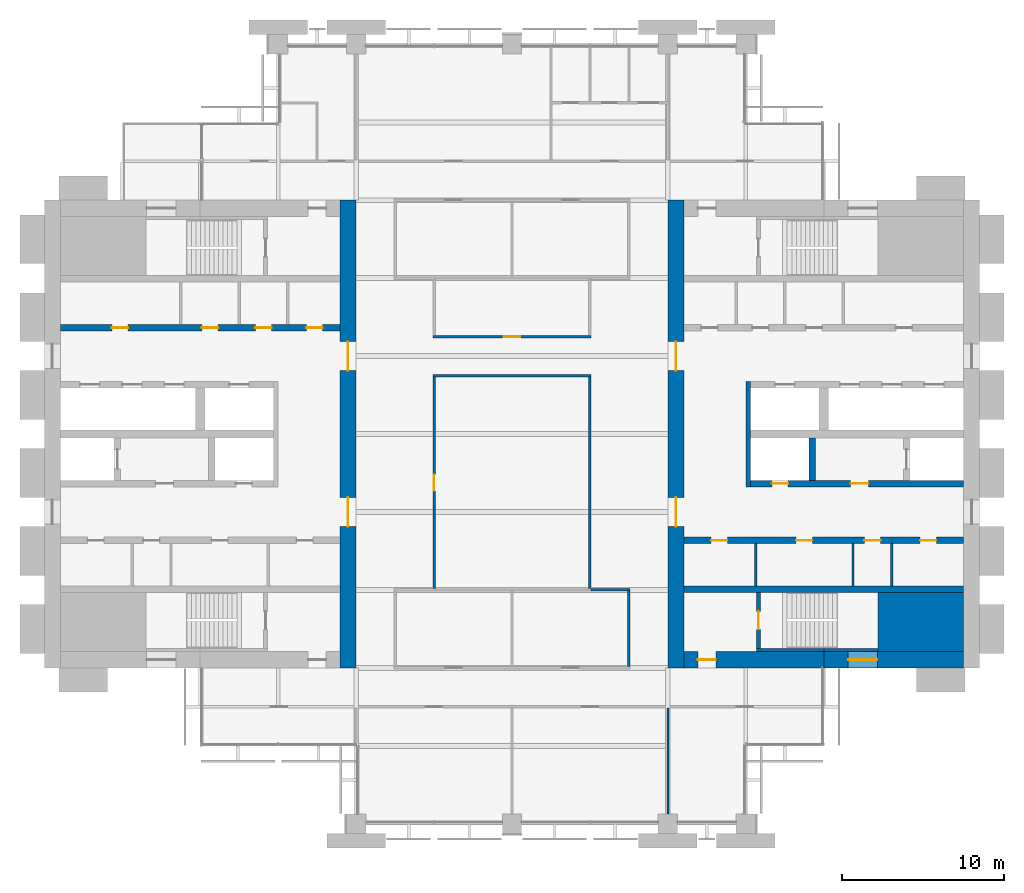
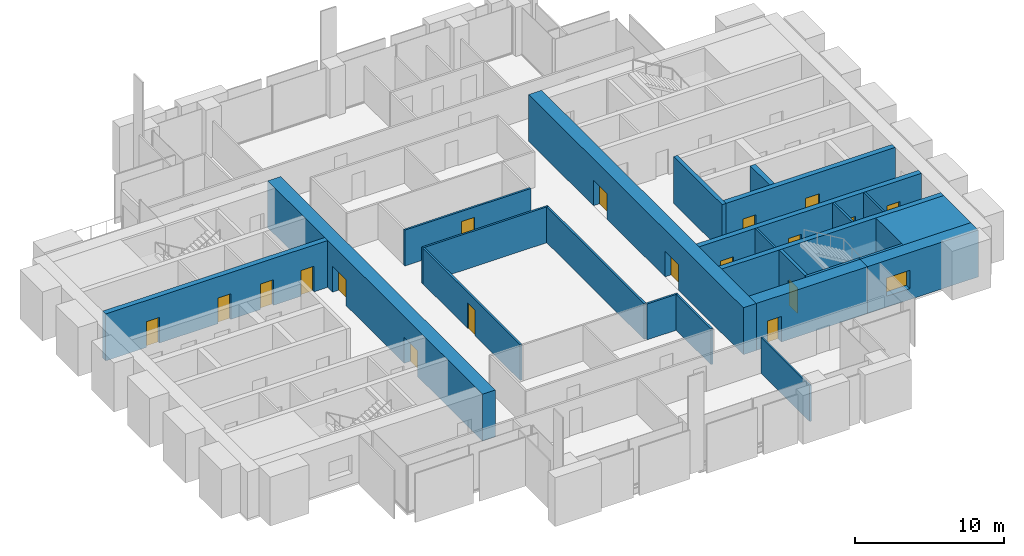
# One storey, part 10 of 14: 24 walls, 18 doors, 1 window, 19 openings.
"""IFC4 building model written with IfcOpenShell, lengths in metres."""

from ifc_helpers import new_model, si_unit, direction, frame, frame_2d, origin, place, context, subcontext, project, spatial, rectangle, extrude, material, layer, layer_set, type_object, element, fill, save


model = new_model("IFC4")

# Units and contexts
model_context = context("Model", 3, precision=1e-05, world=origin(), true_north=direction((0.0, 1.0)))
body_context = subcontext(model_context, "Body", "Model", "MODEL_VIEW")
ifc_project = project(units=[si_unit("LENGTHUNIT", "METRE"), si_unit("AREAUNIT", "SQUARE_METRE"), si_unit("VOLUMEUNIT", "CUBIC_METRE"), si_unit("PLANEANGLEUNIT", "RADIAN"), si_unit("MASSUNIT", "GRAM", prefix="KILO")], contexts=[model_context])

# Site, building, storey
site_placement = place(None, origin())
site = spatial("IfcSite", under=ifc_project, at=site_placement, CompositionType="ELEMENT")
building_placement = place(site_placement, origin())
building = spatial("IfcBuilding", under=site, at=building_placement, Name="Baori Bourse Tower", CompositionType="ELEMENT")
storey_placement = place(building_placement, frame((0.0, 0.0, 168.10009765625)))
storey = spatial("IfcBuildingStorey", under=building, at=storey_placement, Name="L37", CompositionType="ELEMENT", Elevation=168.10009765625)

# Walls
ifc_material_1 = material(Name="Concrete f'c 60 MPa", Category="concrete")
wall_type_1 = type_object("IfcWallType", Name="Core corner block f'c 60", PredefinedType="SHEAR", material=ifc_material_1)
wall_1_placement = place(storey_placement, frame((51.35009765625, 12.425048828125, 0.0), z_axis=(0.0, 0.0, 1.0), x_axis=(1.0, 0.0, 0.0)))
element("IfcWall", 1, at=wall_1_placement, inside=storey, type_object=wall_type_1, Name="Core wall E05", PredefinedType="SHEAR", context=body_context, shape_type="SweptSolid", body=[
    extrude(rectangle(XDim=5.25, YDim=3.64990234375, at=frame_2d((2.625, 0.0))), origin(), (0.0, 0.0, 1.0), 3.83984375),
])
ifc_material_2 = material(Name="Blockwork partition", Category="masonry")
ifc_layer_1 = layer(ifc_material_2, 0.14990234375)
ifc_layer_set_1 = layer_set([ifc_layer_1], Name="Core partition 150")
wall_type_2 = type_object("IfcWallType", Name="Core partition 150", PredefinedType="PARTITIONING", material=ifc_layer_set_1)
for number, where, z_axis, x_axis, name in (
    (2, (52.199951171875, 14.64990234375, 0.0), (0.0, 0.0, 1.0), (0.0, 1.0, 0.0), "Partition wall E10"),
    (3, (49.800048828125, 14.64990234375, 0.0), (0.0, 0.0, 1.0), (0.0, 1.0, 0.0), "Partition wall E11"),
    (4, (43.800048828125, 14.64990234375, 0.0), (0.0, 0.0, 1.0), (0.0, 1.0, 0.0), "Partition wall E12"),
):
    element("IfcWall", number, at=place(storey_placement, frame(where, z_axis=z_axis, x_axis=x_axis)), inside=storey, type_object=wall_type_2, Name=name, PredefinedType="PARTITIONING", context=body_context, shape_type="SweptSolid", body=[
        extrude(rectangle(XDim=2.60009765625, YDim=0.14990234375, at=frame_2d((1.300048828125, 0.0))), origin(), (0.0, 0.0, 1.0), 3.83984375),
    ])

# Wall, openings, doors
ifc_material_3 = material(Name="Concrete f'c 60 MPa", Category="concrete")
ifc_layer_2 = layer(ifc_material_3, 1.0)
ifc_layer_set_2 = layer_set([ifc_layer_2], Name="Core wall 1000 f'c 60")
wall_type_3 = type_object("IfcWallType", Name="Core wall 1000 f'c 60", PredefinedType="SHEAR", material=ifc_layer_set_2)
wall_2_placement = place(storey_placement, frame((18.699951171875, 38.39990234375, 0.0), z_axis=(0.0, 0.0, 1.0), x_axis=(0.0, -1.0, 0.0)))
wall_2 = element("IfcWall", 5, at=wall_2_placement, inside=storey, type_object=wall_type_3, Name="Core wall W04", PredefinedType="SHEAR", context=body_context, shape_type="SweptSolid", body=[
    extrude(rectangle(XDim=28.7998046875, YDim=1.0, at=frame_2d((14.39990234375, 0.0))), origin(), (0.0, 0.0, 1.0), 3.83984375),
])
opening_1_placement = place(wall_2_placement, frame((18.300048828125, 0.0, 0.0)))
opening_1 = element("IfcOpeningElement", 6, at=opening_1_placement, cuts=wall_2, Name="Opening L37-D107", PredefinedType="OPENING", context=body_context, shape_type="SweptSolid", body=[
    extrude(rectangle(XDim=1.800048828125, YDim=2.10009765625, at=frame_2d((0.89990234375, 1.050048828125))), frame((0.0, 0.510009765625, 0.0), z_axis=(0.0, -1.0, 0.0), x_axis=(1.0, 0.0, 0.0)), (0.0, 0.0, 1.0), 1.02001953125),
])
opening_2_placement = place(wall_2_placement, frame((8.699951171875, 0.0, 0.0)))
opening_2 = element("IfcOpeningElement", 7, at=opening_2_placement, cuts=wall_2, Name="Opening L37-D108", PredefinedType="OPENING", context=body_context, shape_type="SweptSolid", body=[
    extrude(rectangle(XDim=1.800048828125, YDim=2.10009765625, at=frame_2d((0.89990234375, 1.050048828125))), frame((0.0, 0.510009765625, 0.0), z_axis=(0.0, -1.0, 0.0), x_axis=(1.0, 0.0, 0.0)), (0.0, 0.0, 1.0), 1.02001953125),
])
ifc_material_4 = material(Name="Painted steel door", Category="steel")
door_type_1 = type_object("IfcDoorType", Name="Core lobby door 1800", OperationType="DOUBLE_DOOR_SINGLE_SWING", PredefinedType="DOOR", material=ifc_material_4)
door_1_placement = place(opening_1_placement, origin())
door_1 = element("IfcDoor", 8, at=door_1_placement, inside=storey, type_object=door_type_1, Name="Lobby door W L37", OperationType="DOUBLE_DOOR_SINGLE_SWING", OverallHeight=2.10009765625, OverallWidth=1.800048828125, PredefinedType="DOOR", context=body_context, shape_type="SweptSolid", body=[
    extrude(rectangle(XDim=1.800048828125, YDim=2.10009765625, at=frame_2d((0.89990234375, 1.050048828125))), frame((0.0, 0.02490234375, 0.0), z_axis=(0.0, -1.0, 0.0), x_axis=(1.0, 0.0, 0.0)), (0.0, 0.0, 1.0), 0.050048828125),
])
fill(opening_1, door_1)
door_2_placement = place(opening_2_placement, origin())
door_2 = element("IfcDoor", 9, at=door_2_placement, inside=storey, type_object=door_type_1, Name="Lobby door W L37", OperationType="DOUBLE_DOOR_SINGLE_SWING", OverallHeight=2.10009765625, OverallWidth=1.800048828125, PredefinedType="DOOR", context=body_context, shape_type="SweptSolid", body=[
    extrude(rectangle(XDim=1.800048828125, YDim=2.10009765625, at=frame_2d((0.89990234375, 1.050048828125))), frame((0.0, 0.02490234375, 0.0), z_axis=(0.0, -1.0, 0.0), x_axis=(1.0, 0.0, 0.0)), (0.0, 0.0, 1.0), 0.050048828125),
])
fill(opening_2, door_2)

# Wall, opening, window
wall_3_placement = place(storey_placement, frame((56.60009765625, 10.10009765625, 0.0), z_axis=(0.0, 0.0, 1.0), x_axis=(-1.0, 0.0, 0.0)))
wall_3 = element("IfcWall", 10, at=wall_3_placement, inside=storey, type_object=wall_type_3, Name="Core wall E02", PredefinedType="SHEAR", context=body_context, shape_type="SweptSolid", body=[
    extrude(rectangle(XDim=8.60009765625, YDim=1.0, at=frame_2d((4.300048828125, 0.0))), origin(), (0.0, 0.0, 1.0), 3.83984375),
])
opening_3_placement = place(wall_3_placement, frame((5.300048828125, 0.0, 0.89990234375)))
opening_3 = element("IfcOpeningElement", 11, at=opening_3_placement, cuts=wall_3, Name="Opening L37-KW203", PredefinedType="OPENING", context=body_context, shape_type="SweptSolid", body=[
    extrude(rectangle(XDim=1.800048828125, YDim=1.5, at=frame_2d((0.89990234375, 0.75))), frame((0.0, 0.510009765625, 0.0), z_axis=(0.0, -1.0, 0.0), x_axis=(1.0, 0.0, 0.0)), (0.0, 0.0, 1.0), 1.02001953125),
])
ifc_material_5 = material(Name="Pale anodised aluminium", Category="aluminium")
window_type = type_object("IfcWindowType", Name="Stair window 1800 x 1500", PartitioningType="SINGLE_PANEL", PredefinedType="WINDOW", material=ifc_material_5)
window_placement = place(opening_3_placement, origin())
window = element("IfcWindow", 12, at=window_placement, inside=storey, type_object=window_type, Name="Stair window E L37 3", OverallHeight=1.5, OverallWidth=1.800048828125, PartitioningType="SINGLE_PANEL", PredefinedType="WINDOW", context=body_context, shape_type="SweptSolid", body=[
    extrude(rectangle(XDim=1.800048828125, YDim=1.5, at=frame_2d((0.89990234375, 0.75))), frame((0.0, 0.030029296875, 0.0), z_axis=(0.0, -1.0, 0.0), x_axis=(1.0, 0.0, 0.0)), (0.0, 0.0, 1.0), 0.06005859375),
])
fill(opening_3, window)

# Wall, opening, door
wall_4_placement = place(storey_placement, frame((48.0, 10.10009765625, 0.0), z_axis=(0.0, 0.0, 1.0), x_axis=(-1.0, 0.0, 0.0)))
wall_4 = element("IfcWall", 13, at=wall_4_placement, inside=storey, type_object=wall_type_3, Name="Core wall E03", PredefinedType="SHEAR", context=body_context, shape_type="SweptSolid", body=[
    extrude(rectangle(XDim=8.60009765625, YDim=1.0, at=frame_2d((4.300048828125, 0.0))), origin(), (0.0, 0.0, 1.0), 3.83984375),
])
opening_4_placement = place(wall_4_placement, frame((6.64990234375, 0.0, 0.0)))
opening_4 = element("IfcOpeningElement", 14, at=opening_4_placement, cuts=wall_4, Name="Opening L37-D202", PredefinedType="OPENING", context=body_context, shape_type="SweptSolid", body=[
    extrude(rectangle(XDim=1.10009765625, YDim=2.10009765625, at=frame_2d((0.550048828125, 1.050048828125))), frame((0.0, 0.510009765625, 0.0), z_axis=(0.0, -1.0, 0.0), x_axis=(1.0, 0.0, 0.0)), (0.0, 0.0, 1.0), 1.02001953125),
])
ifc_material_6 = material(Name="Painted steel door", Category="steel")
door_type_2 = type_object("IfcDoorType", Name="Stair door 1100", OperationType="SINGLE_SWING_LEFT", PredefinedType="DOOR", material=ifc_material_6)
door_3_placement = place(opening_4_placement, origin())
door_3 = element("IfcDoor", 15, at=door_3_placement, inside=storey, type_object=door_type_2, Name="Stair vestibule door A E L37", OperationType="SINGLE_SWING_LEFT", OverallHeight=2.10009765625, OverallWidth=1.10009765625, PredefinedType="DOOR", context=body_context, shape_type="SweptSolid", body=[
    extrude(rectangle(XDim=1.10009765625, YDim=2.10009765625, at=frame_2d((0.550048828125, 1.050048828125))), frame((0.0, 0.02490234375, 0.0), z_axis=(0.0, -1.0, 0.0), x_axis=(1.0, 0.0, 0.0)), (0.0, 0.0, 1.0), 0.050048828125),
])
fill(opening_4, door_3)

# Wall, openings, doors
wall_5_placement = place(storey_placement, frame((38.89990234375, 9.60009765625, 0.0), z_axis=(0.0, 0.0, 1.0), x_axis=(0.0, 1.0, 0.0)))
wall_5 = element("IfcWall", 16, at=wall_5_placement, inside=storey, type_object=wall_type_3, Name="Core wall E04", PredefinedType="SHEAR", context=body_context, shape_type="SweptSolid", body=[
    extrude(rectangle(XDim=28.7998046875, YDim=1.0, at=frame_2d((14.39990234375, 0.0))), origin(), (0.0, 0.0, 1.0), 3.83984375),
])
opening_5_placement = place(wall_5_placement, frame((8.699951171875, 0.0, 0.0)))
opening_5 = element("IfcOpeningElement", 17, at=opening_5_placement, cuts=wall_5, Name="Opening L37-D207", PredefinedType="OPENING", context=body_context, shape_type="SweptSolid", body=[
    extrude(rectangle(XDim=1.800048828125, YDim=2.10009765625, at=frame_2d((0.89990234375, 1.050048828125))), frame((0.0, 0.510009765625, 0.0), z_axis=(0.0, -1.0, 0.0), x_axis=(1.0, 0.0, 0.0)), (0.0, 0.0, 1.0), 1.02001953125),
])
opening_6_placement = place(wall_5_placement, frame((18.300048828125, 0.0, 0.0)))
opening_6 = element("IfcOpeningElement", 18, at=opening_6_placement, cuts=wall_5, Name="Opening L37-D208", PredefinedType="OPENING", context=body_context, shape_type="SweptSolid", body=[
    extrude(rectangle(XDim=1.800048828125, YDim=2.10009765625, at=frame_2d((0.89990234375, 1.050048828125))), frame((0.0, 0.510009765625, 0.0), z_axis=(0.0, -1.0, 0.0), x_axis=(1.0, 0.0, 0.0)), (0.0, 0.0, 1.0), 1.02001953125),
])
door_4_placement = place(opening_5_placement, origin())
door_4 = element("IfcDoor", 19, at=door_4_placement, inside=storey, type_object=door_type_1, Name="Lobby door E L37", OperationType="DOUBLE_DOOR_SINGLE_SWING", OverallHeight=2.10009765625, OverallWidth=1.800048828125, PredefinedType="DOOR", context=body_context, shape_type="SweptSolid", body=[
    extrude(rectangle(XDim=1.800048828125, YDim=2.10009765625, at=frame_2d((0.89990234375, 1.050048828125))), frame((0.0, 0.02490234375, 0.0), z_axis=(0.0, -1.0, 0.0), x_axis=(1.0, 0.0, 0.0)), (0.0, 0.0, 1.0), 0.050048828125),
])
fill(opening_5, door_4)
door_5_placement = place(opening_6_placement, origin())
door_5 = element("IfcDoor", 20, at=door_5_placement, inside=storey, type_object=door_type_1, Name="Lobby door E L37", OperationType="DOUBLE_DOOR_SINGLE_SWING", OverallHeight=2.10009765625, OverallWidth=1.800048828125, PredefinedType="DOOR", context=body_context, shape_type="SweptSolid", body=[
    extrude(rectangle(XDim=1.800048828125, YDim=2.10009765625, at=frame_2d((0.89990234375, 1.050048828125))), frame((0.0, 0.02490234375, 0.0), z_axis=(0.0, -1.0, 0.0), x_axis=(1.0, 0.0, 0.0)), (0.0, 0.0, 1.0), 0.050048828125),
])
fill(opening_6, door_5)

# Walls
ifc_material_7 = material(Name="Gypsum board partition")
ifc_layer_3 = layer(ifc_material_7, 0.14990234375)
ifc_layer_set_3 = layer_set([ifc_layer_3], Name="Corridor partition 150")
wall_type_4 = type_object("IfcWallType", Name="Corridor partition 150", PredefinedType="PARTITIONING", material=ifc_layer_set_3)
wall_6_placement = place(storey_placement, frame((33.675048828125, 14.39990234375, 0.0), z_axis=(0.0, 0.0, 1.0), x_axis=(1.0, 0.0, 0.0)))
element("IfcWall", 21, at=wall_6_placement, inside=storey, type_object=wall_type_4, Name="Partition", PredefinedType="PARTITIONING", context=body_context, shape_type="SweptSolid", body=[
    extrude(rectangle(XDim=2.39990234375, YDim=0.14990234375, at=frame_2d((1.199951171875, 0.0))), origin(), (0.0, 0.0, 1.0), 2.935546875),
])
wall_7_placement = place(storey_placement, frame((23.925048828125, 27.60009765625, 0.0), z_axis=(0.0, 0.0, 1.0), x_axis=(1.0, 0.0, 0.0)))
element("IfcWall", 22, at=wall_7_placement, inside=storey, type_object=wall_type_4, Name="Partition", PredefinedType="PARTITIONING", context=body_context, shape_type="SweptSolid", body=[
    extrude(rectangle(XDim=9.75, YDim=0.14990234375, at=frame_2d((4.875, 0.0))), origin(), (0.0, 0.0, 1.0), 2.935546875),
])

# Wall, opening, door
wall_8_placement = place(storey_placement, frame((23.925048828125, 30.0, 0.0), z_axis=(0.0, 0.0, 1.0), x_axis=(1.0, 0.0, 0.0)))
wall_8 = element("IfcWall", 23, at=wall_8_placement, inside=storey, type_object=wall_type_4, Name="Partition", PredefinedType="PARTITIONING", context=body_context, shape_type="SweptSolid", body=[
    extrude(rectangle(XDim=9.75, YDim=0.14990234375, at=frame_2d((4.875, 0.0))), origin(), (0.0, 0.0, 1.0), 2.935546875),
])
opening_7_placement = place(wall_8_placement, frame((4.375, 0.0, 0.0)))
opening_7 = element("IfcOpeningElement", 24, at=opening_7_placement, cuts=wall_8, Name="Opening L37-D07", PredefinedType="OPENING", context=body_context, shape_type="SweptSolid", body=[
    extrude(rectangle(XDim=1.0, YDim=2.10009765625, at=frame_2d((0.5, 1.050048828125))), frame((0.0, 0.0849609375, 0.0), z_axis=(0.0, -1.0, 0.0), x_axis=(1.0, 0.0, 0.0)), (0.0, 0.0, 1.0), 0.169921875),
])
ifc_material_8 = material(Name="Timber door leaf", Category="wood")
door_type_3 = type_object("IfcDoorType", Name="Door 1000 x 2100", OperationType="SINGLE_SWING_LEFT", PredefinedType="DOOR", material=ifc_material_8)
door_6_placement = place(opening_7_placement, origin())
door_6 = element("IfcDoor", 25, at=door_6_placement, inside=storey, type_object=door_type_3, Name="Door", OperationType="SINGLE_SWING_LEFT", OverallHeight=2.10009765625, OverallWidth=1.0, PredefinedType="DOOR", context=body_context, shape_type="SweptSolid", body=[
    extrude(rectangle(XDim=1.0, YDim=2.10009765625, at=frame_2d((0.5, 1.050048828125))), frame((0.0, 0.02490234375, 0.0), z_axis=(0.0, -1.0, 0.0), x_axis=(1.0, 0.0, 0.0)), (0.0, 0.0, 1.0), 0.050048828125),
])
fill(opening_7, door_6)

wall_9_placement = place(storey_placement, frame((24.0, 14.47509765625, 0.0), z_axis=(0.0, 0.0, 1.0), x_axis=(0.0, 1.0, 0.0)))
wall_9 = element("IfcWall", 26, at=wall_9_placement, inside=storey, type_object=wall_type_4, Name="Partition", PredefinedType="PARTITIONING", context=body_context, shape_type="SweptSolid", body=[
    extrude(rectangle(XDim=13.0498046875, YDim=0.14990234375, at=frame_2d((6.52490234375, 0.0))), origin(), (0.0, 0.0, 1.0), 2.935546875),
])
opening_8_placement = place(wall_9_placement, frame((6.02490234375, 0.0, 0.0)))
opening_8 = element("IfcOpeningElement", 27, at=opening_8_placement, cuts=wall_9, Name="Opening L37-D18", PredefinedType="OPENING", context=body_context, shape_type="SweptSolid", body=[
    extrude(rectangle(XDim=1.0, YDim=2.10009765625, at=frame_2d((0.5, 1.050048828125))), frame((0.0, 0.0849609375, 0.0), z_axis=(0.0, -1.0, 0.0), x_axis=(1.0, 0.0, 0.0)), (0.0, 0.0, 1.0), 0.169921875),
])
door_7_placement = place(opening_8_placement, origin())
door_7 = element("IfcDoor", 28, at=door_7_placement, inside=storey, type_object=door_type_3, Name="Door", OperationType="SINGLE_SWING_RIGHT", OverallHeight=2.10009765625, OverallWidth=1.0, PredefinedType="DOOR", context=body_context, shape_type="SweptSolid", body=[
    extrude(rectangle(XDim=1.0, YDim=2.10009765625, at=frame_2d((0.5, 1.050048828125))), frame((0.0, 0.02490234375, 0.0), z_axis=(0.0, -1.0, 0.0), x_axis=(1.0, 0.0, 0.0)), (0.0, 0.0, 1.0), 0.050048828125),
])
fill(opening_8, door_7)

# Walls
wall_10_placement = place(storey_placement, frame((33.60009765625, 14.47509765625, 0.0), z_axis=(0.0, 0.0, 1.0), x_axis=(0.0, 1.0, 0.0)))
element("IfcWall", 29, at=wall_10_placement, inside=storey, type_object=wall_type_4, Name="Partition", PredefinedType="PARTITIONING", context=body_context, shape_type="SweptSolid", body=[
    extrude(rectangle(XDim=13.0498046875, YDim=0.14990234375, at=frame_2d((6.52490234375, 0.0))), origin(), (0.0, 0.0, 1.0), 2.935546875),
])
wall_11_placement = place(storey_placement, frame((36.0, 9.675048828125, 0.0), z_axis=(0.0, 0.0, 1.0), x_axis=(0.0, 1.0, 0.0)))
element("IfcWall", 30, at=wall_11_placement, inside=storey, type_object=wall_type_4, Name="Partition", PredefinedType="PARTITIONING", context=body_context, shape_type="SweptSolid", body=[
    extrude(rectangle(XDim=4.64990234375, YDim=0.14990234375, at=frame_2d((2.324951171875, 0.0))), origin(), (0.0, 0.0, 1.0), 2.935546875),
])
ifc_material_9 = material(Name="Gypsum board partition")
ifc_layer_4 = layer(ifc_material_9, 0.125)
ifc_layer_set_4 = layer_set([ifc_layer_4], Name="Partition 125")
wall_type_5 = type_object("IfcWallType", Name="Partition 125", PredefinedType="PARTITIONING", material=ifc_layer_set_4)
wall_12_placement = place(storey_placement, frame((38.39990234375, 0.60009765625, 0.0), z_axis=(0.0, 0.0, 1.0), x_axis=(0.0, 1.0, 0.0)))
element("IfcWall", 31, at=wall_12_placement, inside=storey, type_object=wall_type_5, Name="Partition", PredefinedType="PARTITIONING", context=body_context, shape_type="SweptSolid", body=[
    extrude(rectangle(XDim=6.52490234375, YDim=0.125, at=frame_2d((3.262451171875, 0.0))), origin(), (0.0, 0.0, 1.0), 2.935546875),
])
ifc_material_10 = material(Name="Concrete f'c 60 MPa", Category="concrete")
ifc_layer_5 = layer(ifc_material_10, 0.199951171875)
ifc_layer_set_5 = layer_set([ifc_layer_5], Name="Shaft wall 200 f'c 60")
wall_type_6 = type_object("IfcWallType", Name="Shaft wall 200 f'c 60", PredefinedType="SHEAR", material=ifc_layer_set_5)
wall_13_placement = place(storey_placement, frame((48.0, 10.699951171875, 0.0), z_axis=(0.0, 0.0, 1.0), x_axis=(1.0, 0.0, 0.0)))
element("IfcWall", 32, at=wall_13_placement, inside=storey, type_object=wall_type_6, Name="Core wall E06", PredefinedType="SHEAR", context=body_context, shape_type="SweptSolid", body=[
    extrude(rectangle(XDim=3.35009765625, YDim=0.199951171875, at=frame_2d((1.675048828125, 0.0))), origin(), (0.0, 0.0, 1.0), 3.83984375),
])
wall_14_placement = place(storey_placement, frame((43.85009765625, 10.699951171875, 0.0), z_axis=(0.0, 0.0, 1.0), x_axis=(1.0, 0.0, 0.0)))
element("IfcWall", 33, at=wall_14_placement, inside=storey, type_object=wall_type_6, Name="Core wall E07", PredefinedType="SHEAR", context=body_context, shape_type="SweptSolid", body=[
    extrude(rectangle(XDim=4.14990234375, YDim=0.199951171875, at=frame_2d((2.074951171875, 0.0))), origin(), (0.0, 0.0, 1.0), 3.83984375),
])

# Wall, opening, door
ifc_material_11 = material(Name="Concrete f'c 60 MPa", Category="concrete")
ifc_layer_6 = layer(ifc_material_11, 0.25)
ifc_layer_set_6 = layer_set([ifc_layer_6], Name="Shaft wall 250 f'c 60")
wall_type_7 = type_object("IfcWallType", Name="Shaft wall 250 f'c 60", PredefinedType="SHEAR", material=ifc_layer_set_6)
wall_15_placement = place(storey_placement, frame((43.97509765625, 10.800048828125, 0.0), z_axis=(0.0, 0.0, 1.0), x_axis=(0.0, 1.0, 0.0)))
wall_15 = element("IfcWall", 34, at=wall_15_placement, inside=storey, type_object=wall_type_7, Name="Core wall E08", PredefinedType="SHEAR", context=body_context, shape_type="SweptSolid", body=[
    extrude(rectangle(XDim=3.449951171875, YDim=0.25, at=frame_2d((1.72509765625, 0.0))), origin(), (0.0, 0.0, 1.0), 3.83984375),
])
opening_9_placement = place(wall_15_placement, frame((1.175048828125, 0.0, 0.0)))
opening_9 = element("IfcOpeningElement", 35, at=opening_9_placement, cuts=wall_15, Name="Opening L37-D201", PredefinedType="OPENING", context=body_context, shape_type="SweptSolid", body=[
    extrude(rectangle(XDim=1.10009765625, YDim=2.10009765625, at=frame_2d((0.550048828125, 1.050048828125))), frame((0.0, 0.135009765625, 0.0), z_axis=(0.0, -1.0, 0.0), x_axis=(1.0, 0.0, 0.0)), (0.0, 0.0, 1.0), 0.27001953125),
])
door_8_placement = place(opening_9_placement, origin())
door_8 = element("IfcDoor", 36, at=door_8_placement, inside=storey, type_object=door_type_2, Name="Stair door A E L37", OperationType="SINGLE_SWING_LEFT", OverallHeight=2.10009765625, OverallWidth=1.10009765625, PredefinedType="DOOR", context=body_context, shape_type="SweptSolid", body=[
    extrude(rectangle(XDim=1.10009765625, YDim=2.10009765625, at=frame_2d((0.550048828125, 1.050048828125))), frame((0.0, 0.02490234375, 0.0), z_axis=(0.0, -1.0, 0.0), x_axis=(1.0, 0.0, 0.0)), (0.0, 0.0, 1.0), 0.050048828125),
])
fill(opening_9, door_8)

# Wall
ifc_material_12 = material(Name="Concrete f'c 60 MPa", Category="concrete")
ifc_layer_7 = layer(ifc_material_12, 0.300048828125)
ifc_layer_set_7 = layer_set([ifc_layer_7], Name="Shaft wall 300 f'c 60")
wall_type_8 = type_object("IfcWallType", Name="Shaft wall 300 f'c 60", PredefinedType="SHEAR", material=ifc_layer_set_7)
wall_16_placement = place(storey_placement, frame((43.35009765625, 20.75, 0.0), z_axis=(0.0, 0.0, 1.0), x_axis=(0.0, 1.0, 0.0)))
element("IfcWall", 37, at=wall_16_placement, inside=storey, type_object=wall_type_8, Name="Core wall E15", PredefinedType="SHEAR", context=body_context, shape_type="SweptSolid", body=[
    extrude(rectangle(XDim=6.5, YDim=0.300048828125, at=frame_2d((3.25, 0.0))), origin(), (0.0, 0.0, 1.0), 3.83984375),
])

# Wall, openings, doors
ifc_material_13 = material(Name="Concrete f'c 60 MPa", Category="concrete")
ifc_layer_8 = layer(ifc_material_13, 0.39990234375)
ifc_layer_set_8 = layer_set([ifc_layer_8], Name="Shaft wall 400 f'c 60")
wall_type_9 = type_object("IfcWallType", Name="Shaft wall 400 f'c 60", PredefinedType="SHEAR", material=ifc_layer_set_8)
wall_17_placement = place(storey_placement, frame((1.0, 30.550048828125, 0.0), z_axis=(0.0, 0.0, 1.0), x_axis=(1.0, 0.0, 0.0)))
wall_17 = element("IfcWall", 38, at=wall_17_placement, inside=storey, type_object=wall_type_9, Name="Core wall W21", PredefinedType="SHEAR", context=body_context, shape_type="SweptSolid", body=[
    extrude(rectangle(XDim=17.199951171875, YDim=0.39990234375, at=frame_2d((8.60009765625, 0.0))), origin(), (0.0, 0.0, 1.0), 3.83984375),
])
opening_10_placement = place(wall_17_placement, frame((3.16259765625, 0.0, 0.0)))
opening_10 = element("IfcOpeningElement", 39, at=opening_10_placement, cuts=wall_17, Name="Opening L37-D109", PredefinedType="OPENING", context=body_context, shape_type="SweptSolid", body=[
    extrude(rectangle(XDim=1.0, YDim=2.10009765625, at=frame_2d((0.5, 1.050048828125))), frame((0.0, 0.2099609375, 0.0), z_axis=(0.0, -1.0, 0.0), x_axis=(1.0, 0.0, 0.0)), (0.0, 0.0, 1.0), 0.419921875),
])
opening_11_placement = place(wall_17_placement, frame((8.699951171875, 0.0, 0.0)))
opening_11 = element("IfcOpeningElement", 40, at=opening_11_placement, cuts=wall_17, Name="Opening L37-D110", PredefinedType="OPENING", context=body_context, shape_type="SweptSolid", body=[
    extrude(rectangle(XDim=1.0, YDim=2.10009765625, at=frame_2d((0.5, 1.050048828125))), frame((0.0, 0.2099609375, 0.0), z_axis=(0.0, -1.0, 0.0), x_axis=(1.0, 0.0, 0.0)), (0.0, 0.0, 1.0), 0.419921875),
])
opening_12_placement = place(wall_17_placement, frame((12.0, 0.0, 0.0)))
opening_12 = element("IfcOpeningElement", 41, at=opening_12_placement, cuts=wall_17, Name="Opening L37-D111", PredefinedType="OPENING", context=body_context, shape_type="SweptSolid", body=[
    extrude(rectangle(XDim=1.0, YDim=2.10009765625, at=frame_2d((0.5, 1.050048828125))), frame((0.0, 0.2099609375, 0.0), z_axis=(0.0, -1.0, 0.0), x_axis=(1.0, 0.0, 0.0)), (0.0, 0.0, 1.0), 0.419921875),
])
opening_13_placement = place(wall_17_placement, frame((15.137451171875, 0.0, 0.0)))
opening_13 = element("IfcOpeningElement", 42, at=opening_13_placement, cuts=wall_17, Name="Opening L37-D112", PredefinedType="OPENING", context=body_context, shape_type="SweptSolid", body=[
    extrude(rectangle(XDim=1.0, YDim=2.10009765625, at=frame_2d((0.5, 1.050048828125))), frame((0.0, 0.2099609375, 0.0), z_axis=(0.0, -1.0, 0.0), x_axis=(1.0, 0.0, 0.0)), (0.0, 0.0, 1.0), 0.419921875),
])
ifc_material_14 = material(Name="Painted steel door", Category="steel")
door_type_4 = type_object("IfcDoorType", Name="Core door 1000", OperationType="SINGLE_SWING_LEFT", PredefinedType="DOOR", material=ifc_material_14)
door_9_placement = place(opening_10_placement, origin())
door_9 = element("IfcDoor", 43, at=door_9_placement, inside=storey, type_object=door_type_4, Name="Men'S Wc door W L37", OperationType="SINGLE_SWING_LEFT", OverallHeight=2.10009765625, OverallWidth=1.0, PredefinedType="DOOR", context=body_context, shape_type="SweptSolid", body=[
    extrude(rectangle(XDim=1.0, YDim=2.10009765625, at=frame_2d((0.5, 1.050048828125))), frame((0.0, 0.02490234375, 0.0), z_axis=(0.0, -1.0, 0.0), x_axis=(1.0, 0.0, 0.0)), (0.0, 0.0, 1.0), 0.050048828125),
])
fill(opening_10, door_9)
door_10_placement = place(opening_11_placement, origin())
door_10 = element("IfcDoor", 44, at=door_10_placement, inside=storey, type_object=door_type_4, Name="Women'S Wc door W L37", OperationType="SINGLE_SWING_LEFT", OverallHeight=2.10009765625, OverallWidth=1.0, PredefinedType="DOOR", context=body_context, shape_type="SweptSolid", body=[
    extrude(rectangle(XDim=1.0, YDim=2.10009765625, at=frame_2d((0.5, 1.050048828125))), frame((0.0, 0.02490234375, 0.0), z_axis=(0.0, -1.0, 0.0), x_axis=(1.0, 0.0, 0.0)), (0.0, 0.0, 1.0), 0.050048828125),
])
fill(opening_11, door_10)
door_11_placement = place(opening_12_placement, origin())
door_11 = element("IfcDoor", 45, at=door_11_placement, inside=storey, type_object=door_type_4, Name="Accessible Wc door W L37", OperationType="SINGLE_SWING_LEFT", OverallHeight=2.10009765625, OverallWidth=1.0, PredefinedType="DOOR", context=body_context, shape_type="SweptSolid", body=[
    extrude(rectangle(XDim=1.0, YDim=2.10009765625, at=frame_2d((0.5, 1.050048828125))), frame((0.0, 0.02490234375, 0.0), z_axis=(0.0, -1.0, 0.0), x_axis=(1.0, 0.0, 0.0)), (0.0, 0.0, 1.0), 0.050048828125),
])
fill(opening_12, door_11)
door_12_placement = place(opening_13_placement, origin())
door_12 = element("IfcDoor", 46, at=door_12_placement, inside=storey, type_object=door_type_4, Name="Janitor'S Closet door W L37", OperationType="SINGLE_SWING_LEFT", OverallHeight=2.10009765625, OverallWidth=1.0, PredefinedType="DOOR", context=body_context, shape_type="SweptSolid", body=[
    extrude(rectangle(XDim=1.0, YDim=2.10009765625, at=frame_2d((0.5, 1.050048828125))), frame((0.0, 0.02490234375, 0.0), z_axis=(0.0, -1.0, 0.0), x_axis=(1.0, 0.0, 0.0)), (0.0, 0.0, 1.0), 0.050048828125),
])
fill(opening_13, door_12)

# Wall
wall_18_placement = place(storey_placement, frame((39.39990234375, 14.449951171875, 0.0), z_axis=(0.0, 0.0, 1.0), x_axis=(1.0, 0.0, 0.0)))
element("IfcWall", 47, at=wall_18_placement, inside=storey, type_object=wall_type_9, Name="Core wall E09", PredefinedType="SHEAR", context=body_context, shape_type="SweptSolid", body=[
    extrude(rectangle(XDim=17.2001953125, YDim=0.39990234375, at=frame_2d((8.60009765625, 0.0))), origin(), (0.0, 0.0, 1.0), 3.83984375),
])

# Wall, openings, doors
wall_19_placement = place(storey_placement, frame((39.39990234375, 17.449951171875, 0.0), z_axis=(0.0, 0.0, 1.0), x_axis=(1.0, 0.0, 0.0)))
wall_19 = element("IfcWall", 48, at=wall_19_placement, inside=storey, type_object=wall_type_9, Name="Core wall E13", PredefinedType="SHEAR", context=body_context, shape_type="SweptSolid", body=[
    extrude(rectangle(XDim=17.2001953125, YDim=0.39990234375, at=frame_2d((8.60009765625, 0.0))), origin(), (0.0, 0.0, 1.0), 3.83984375),
])
opening_14_placement = place(wall_19_placement, frame((14.53759765625, 0.0, 0.0)))
opening_14 = element("IfcOpeningElement", 49, at=opening_14_placement, cuts=wall_19, Name="Opening L37-D213", PredefinedType="OPENING", context=body_context, shape_type="SweptSolid", body=[
    extrude(rectangle(XDim=1.0, YDim=2.10009765625, at=frame_2d((0.5, 1.050048828125))), frame((0.0, 0.2099609375, 0.0), z_axis=(0.0, -1.0, 0.0), x_axis=(1.0, 0.0, 0.0)), (0.0, 0.0, 1.0), 0.419921875),
])
opening_15_placement = place(wall_19_placement, frame((11.10009765625, 0.0, 0.0)))
opening_15 = element("IfcOpeningElement", 50, at=opening_15_placement, cuts=wall_19, Name="Opening L37-D214", PredefinedType="OPENING", context=body_context, shape_type="SweptSolid", body=[
    extrude(rectangle(XDim=1.0, YDim=2.10009765625, at=frame_2d((0.5, 1.050048828125))), frame((0.0, 0.2099609375, 0.0), z_axis=(0.0, -1.0, 0.0), x_axis=(1.0, 0.0, 0.0)), (0.0, 0.0, 1.0), 0.419921875),
])
opening_16_placement = place(wall_19_placement, frame((6.89990234375, 0.0, 0.0)))
opening_16 = element("IfcOpeningElement", 51, at=opening_16_placement, cuts=wall_19, Name="Opening L37-D215", PredefinedType="OPENING", context=body_context, shape_type="SweptSolid", body=[
    extrude(rectangle(XDim=1.0, YDim=2.10009765625, at=frame_2d((0.5, 1.050048828125))), frame((0.0, 0.2099609375, 0.0), z_axis=(0.0, -1.0, 0.0), x_axis=(1.0, 0.0, 0.0)), (0.0, 0.0, 1.0), 0.419921875),
])
opening_17_placement = place(wall_19_placement, frame((1.66259765625, 0.0, 0.0)))
opening_17 = element("IfcOpeningElement", 52, at=opening_17_placement, cuts=wall_19, Name="Opening L37-D216", PredefinedType="OPENING", context=body_context, shape_type="SweptSolid", body=[
    extrude(rectangle(XDim=1.0, YDim=2.10009765625, at=frame_2d((0.5, 1.050048828125))), frame((0.0, 0.2099609375, 0.0), z_axis=(0.0, -1.0, 0.0), x_axis=(1.0, 0.0, 0.0)), (0.0, 0.0, 1.0), 0.419921875),
])
door_13_placement = place(opening_14_placement, origin())
door_13 = element("IfcDoor", 53, at=door_13_placement, inside=storey, type_object=door_type_4, Name="Women'S Wc door E L37", OperationType="SINGLE_SWING_LEFT", OverallHeight=2.10009765625, OverallWidth=1.0, PredefinedType="DOOR", context=body_context, shape_type="SweptSolid", body=[
    extrude(rectangle(XDim=1.0, YDim=2.10009765625, at=frame_2d((0.5, 1.050048828125))), frame((0.0, 0.02490234375, 0.0), z_axis=(0.0, -1.0, 0.0), x_axis=(1.0, 0.0, 0.0)), (0.0, 0.0, 1.0), 0.050048828125),
])
fill(opening_14, door_13)
door_14_placement = place(opening_15_placement, origin())
door_14 = element("IfcDoor", 54, at=door_14_placement, inside=storey, type_object=door_type_4, Name="Janitor'S Closet door E L37", OperationType="SINGLE_SWING_LEFT", OverallHeight=2.10009765625, OverallWidth=1.0, PredefinedType="DOOR", context=body_context, shape_type="SweptSolid", body=[
    extrude(rectangle(XDim=1.0, YDim=2.10009765625, at=frame_2d((0.5, 1.050048828125))), frame((0.0, 0.02490234375, 0.0), z_axis=(0.0, -1.0, 0.0), x_axis=(1.0, 0.0, 0.0)), (0.0, 0.0, 1.0), 0.050048828125),
])
fill(opening_15, door_14)
door_15_placement = place(opening_16_placement, origin())
door_15 = element("IfcDoor", 55, at=door_15_placement, inside=storey, type_object=door_type_4, Name="Men'S Wc door E L37", OperationType="SINGLE_SWING_LEFT", OverallHeight=2.10009765625, OverallWidth=1.0, PredefinedType="DOOR", context=body_context, shape_type="SweptSolid", body=[
    extrude(rectangle(XDim=1.0, YDim=2.10009765625, at=frame_2d((0.5, 1.050048828125))), frame((0.0, 0.02490234375, 0.0), z_axis=(0.0, -1.0, 0.0), x_axis=(1.0, 0.0, 0.0)), (0.0, 0.0, 1.0), 0.050048828125),
])
fill(opening_16, door_15)
door_16_placement = place(opening_17_placement, origin())
door_16 = element("IfcDoor", 56, at=door_16_placement, inside=storey, type_object=door_type_4, Name="Accessible Wc door E L37", OperationType="SINGLE_SWING_LEFT", OverallHeight=2.10009765625, OverallWidth=1.0, PredefinedType="DOOR", context=body_context, shape_type="SweptSolid", body=[
    extrude(rectangle(XDim=1.0, YDim=2.10009765625, at=frame_2d((0.5, 1.050048828125))), frame((0.0, 0.02490234375, 0.0), z_axis=(0.0, -1.0, 0.0), x_axis=(1.0, 0.0, 0.0)), (0.0, 0.0, 1.0), 0.050048828125),
])
fill(opening_17, door_16)

wall_20_placement = place(storey_placement, frame((43.5, 20.949951171875, 0.0), z_axis=(0.0, 0.0, 1.0), x_axis=(1.0, 0.0, 0.0)))
wall_20 = element("IfcWall", 57, at=wall_20_placement, inside=storey, type_object=wall_type_9, Name="Core wall E14", PredefinedType="SHEAR", context=body_context, shape_type="SweptSolid", body=[
    extrude(rectangle(XDim=13.10009765625, YDim=0.39990234375, at=frame_2d((6.550048828125, 0.0))), origin(), (0.0, 0.0, 1.0), 3.83984375),
])
opening_18_placement = place(wall_20_placement, frame((6.14990234375, 0.0, 0.0)))
opening_18 = element("IfcOpeningElement", 58, at=opening_18_placement, cuts=wall_20, Name="Opening L37-D205", PredefinedType="OPENING", context=body_context, shape_type="SweptSolid", body=[
    extrude(rectangle(XDim=1.10009765625, YDim=2.10009765625, at=frame_2d((0.550048828125, 1.050048828125))), frame((0.0, 0.2099609375, 0.0), z_axis=(0.0, -1.0, 0.0), x_axis=(1.0, 0.0, 0.0)), (0.0, 0.0, 1.0), 0.419921875),
])
opening_19_placement = place(wall_20_placement, frame((1.300048828125, 0.0, 0.0)))
opening_19 = element("IfcOpeningElement", 59, at=opening_19_placement, cuts=wall_20, Name="Opening L37-D206", PredefinedType="OPENING", context=body_context, shape_type="SweptSolid", body=[
    extrude(rectangle(XDim=1.0, YDim=2.10009765625, at=frame_2d((0.5, 1.050048828125))), frame((0.0, 0.2099609375, 0.0), z_axis=(0.0, -1.0, 0.0), x_axis=(1.0, 0.0, 0.0)), (0.0, 0.0, 1.0), 0.419921875),
])
ifc_material_15 = material(Name="Painted steel door", Category="steel")
door_type_5 = type_object("IfcDoorType", Name="Lobby door 1100", OperationType="SINGLE_SWING_LEFT", PredefinedType="DOOR", material=ifc_material_15)
door_17_placement = place(opening_18_placement, origin())
door_17 = element("IfcDoor", 60, at=door_17_placement, inside=storey, type_object=door_type_5, Name="Firefighting lobby door E L37", OperationType="SINGLE_SWING_LEFT", OverallHeight=2.10009765625, OverallWidth=1.10009765625, PredefinedType="DOOR", context=body_context, shape_type="SweptSolid", body=[
    extrude(rectangle(XDim=1.10009765625, YDim=2.10009765625, at=frame_2d((0.550048828125, 1.050048828125))), frame((0.0, 0.02490234375, 0.0), z_axis=(0.0, -1.0, 0.0), x_axis=(1.0, 0.0, 0.0)), (0.0, 0.0, 1.0), 0.050048828125),
])
fill(opening_18, door_17)
ifc_material_16 = material(Name="Painted steel door", Category="steel")
door_type_6 = type_object("IfcDoorType", Name="Shaft door 1000", OperationType="SINGLE_SWING_LEFT", PredefinedType="DOOR", material=ifc_material_16)
door_18_placement = place(opening_19_placement, origin())
door_18 = element("IfcDoor", 61, at=door_18_placement, inside=storey, type_object=door_type_6, Name="Riser room door E L37", OperationType="SINGLE_SWING_LEFT", OverallHeight=2.10009765625, OverallWidth=1.0, PredefinedType="DOOR", context=body_context, shape_type="SweptSolid", body=[
    extrude(rectangle(XDim=1.0, YDim=2.10009765625, at=frame_2d((0.5, 1.050048828125))), frame((0.0, 0.02490234375, 0.0), z_axis=(0.0, -1.0, 0.0), x_axis=(1.0, 0.0, 0.0)), (0.0, 0.0, 1.0), 0.050048828125),
])
fill(opening_19, door_18)

# Wall
wall_21_placement = place(storey_placement, frame((47.300048828125, 21.14990234375, 0.0), z_axis=(0.0, 0.0, 1.0), x_axis=(0.0, 1.0, 0.0)))
element("IfcWall", 62, at=wall_21_placement, inside=storey, type_object=wall_type_9, Name="Core wall E17", PredefinedType="SHEAR", context=body_context, shape_type="SweptSolid", body=[
    extrude(rectangle(XDim=2.60009765625, YDim=0.39990234375, at=frame_2d((1.300048828125, 0.0))), origin(), (0.0, 0.0, 1.0), 3.83984375),
])

save(model, "model.ifc")
